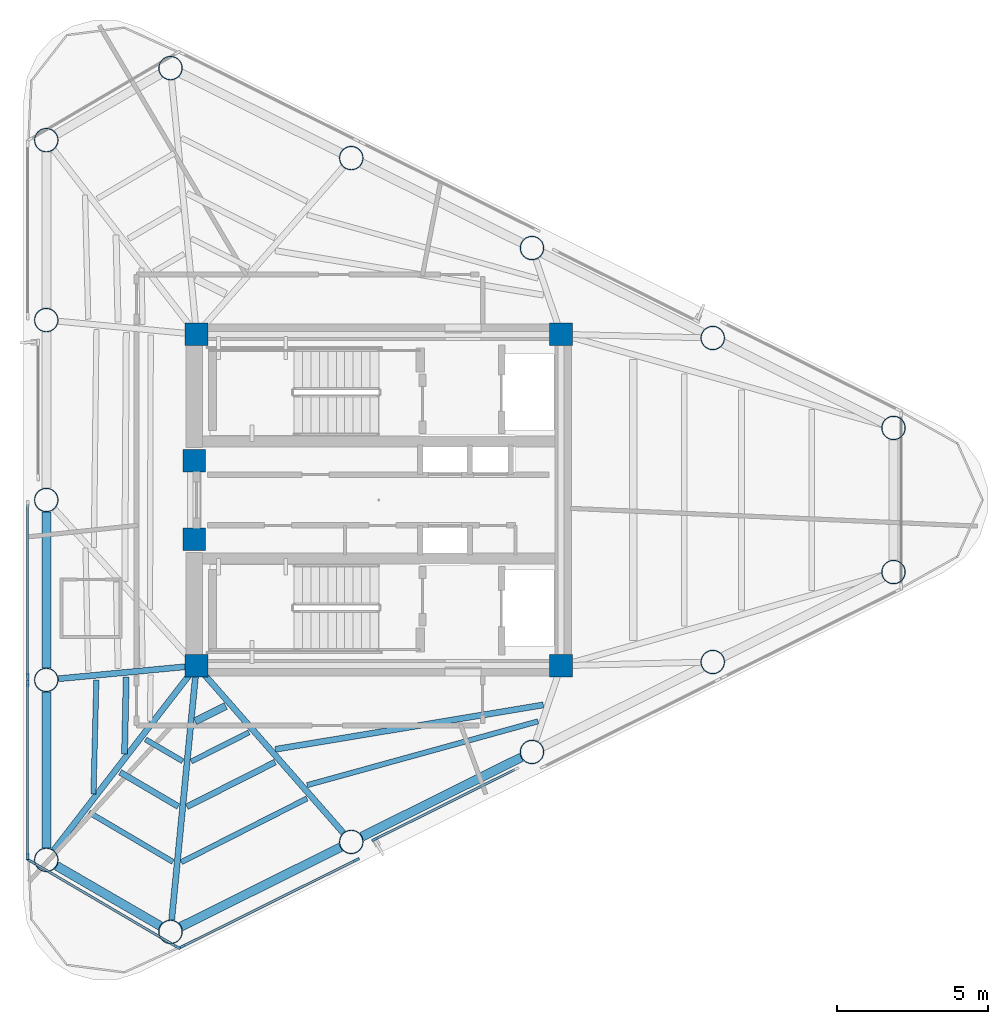
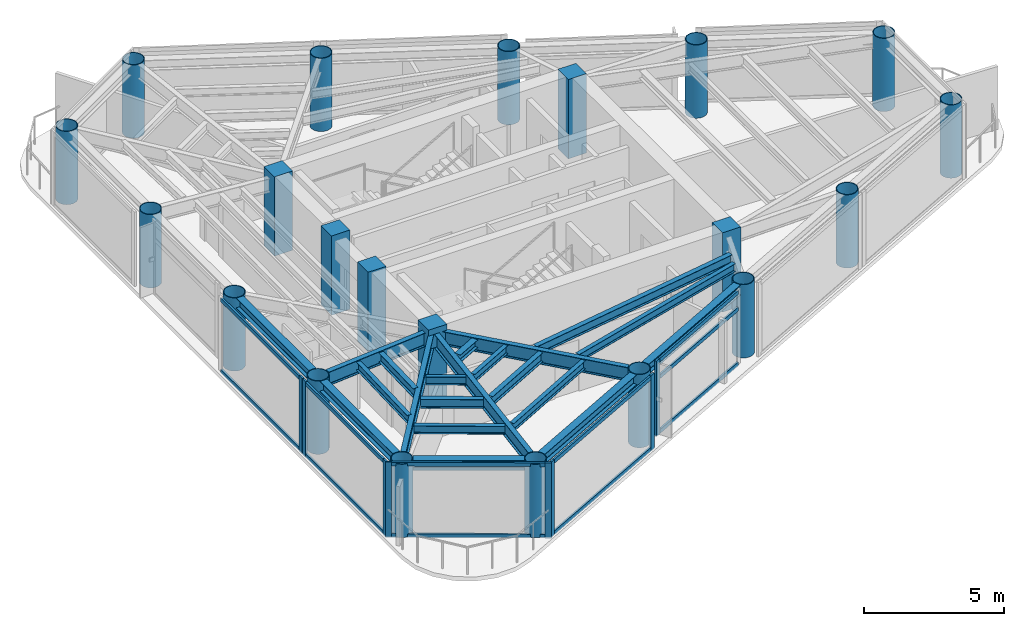
# One storey, part 1 of 10: 21 columns, 20 beams, 19 members, 5 elements without a shape of their own.
"""IFC4 building model written with IfcOpenShell, lengths in metres."""

from ifc_helpers import new_model, si_unit, direction, frame, origin, origin_2d, place, context, subcontext, project, spatial, rectangle, hollow_circle, i_section, extrude, source, transform, mapped, material, layer, layer_set, material_profile, profile_set, type_object, element, aggregate, save


model = new_model("IFC4")

# Units and contexts
model_context = context("Model", 3, precision=1e-05, world=origin(), true_north=direction((0.0, 1.0)))
body_context = subcontext(model_context, "Body", "Model", "MODEL_VIEW")
ifc_project = project(units=[si_unit("LENGTHUNIT", "METRE"), si_unit("AREAUNIT", "SQUARE_METRE"), si_unit("VOLUMEUNIT", "CUBIC_METRE"), si_unit("PLANEANGLEUNIT", "RADIAN"), si_unit("MASSUNIT", "GRAM", prefix="KILO")], contexts=[model_context])

# Site, building, storey
site_placement = place(None, origin())
site = spatial("IfcSite", under=ifc_project, at=site_placement, CompositionType="ELEMENT")
building_placement = place(site_placement, origin())
building = spatial("IfcBuilding", under=site, at=building_placement, Name="Yunling Apex Tower", CompositionType="ELEMENT")
storey_placement = place(building_placement, frame((0.0, 0.0, 314.0)))
storey = spatial("IfcBuildingStorey", under=building, at=storey_placement, Name="L77", CompositionType="ELEMENT", Elevation=314.0)

# Columns
ifc_material_1 = material(Name="Concrete C50", Category="concrete")
ifc_material_profile_1 = material_profile(ifc_material_1, rectangle(XDim=0.75, YDim=0.75, at=origin_2d()))
ifc_profile_set_1 = profile_set([ifc_material_profile_1], Name="Concrete C50")
column_type_1 = type_object("IfcColumnType", Name="PC-SRC-4", PredefinedType="COLUMN", material=ifc_profile_set_1)
shared_shape_1 = source(origin(), body_context, "Body", "SweptSolid", [
    extrude(rectangle(XDim=0.75, YDim=0.75, at=origin_2d()), origin(), (0.0, 0.0, 1.0), 3.449951171875),
])
for number, where, z_axis, x_axis, name in (
    (1, (-6.050048828125, -5.5, 0.0), (0.0, 0.0, 1.0), (1.0, 0.0, 0.0), "L77 Core Spine Column CC-SW"),
    (2, (6.050048828125, -5.5, 0.0), (0.0, 0.0, 1.0), (1.0, 0.0, 0.0), "L77 Core Spine Column CC-SE"),
    (3, (6.050048828125, 5.5, 0.0), (0.0, 0.0, 1.0), (1.0, 0.0, 0.0), "L77 Core Spine Column CC-NE"),
    (4, (-6.050048828125, 5.5, 0.0), (0.0, 0.0, 1.0), (1.0, 0.0, 0.0), "L77 Core Spine Column CC-NW"),
    (5, (-6.125, -1.300048828125, 0.0), (0.0, 0.0, 1.0), (1.0, 0.0, 0.0), "L77 Core West Portal Jamb Column S"),
    (6, (-6.125, 1.300048828125, 0.0), (0.0, 0.0, 1.0), (1.0, 0.0, 0.0), "L77 Core West Portal Jamb Column N"),
):
    element("IfcColumn", number, at=place(storey_placement, frame(where, z_axis=z_axis, x_axis=x_axis)), inside=storey, type_object=column_type_1, Name=name, PredefinedType="COLUMN", context=body_context, shape_type="MappedRepresentation", body=[
        mapped(shared_shape_1, transform((0.0, 0.0, 0.0), scale=1.0)),
    ])
ifc_material_2 = material(Name="Steel Q355B", Category="steel")
ifc_material_profile_2 = material_profile(ifc_material_2, hollow_circle(Radius=0.39990234375, WallThickness=0.028076171875, at=origin_2d()))
ifc_profile_set_2 = profile_set([ifc_material_profile_2], Name="Steel Q355B")
column_type_2 = type_object("IfcColumnType", Name="MC-CFST-7", PredefinedType="COLUMN", material=ifc_profile_set_2)
shared_shape_2 = source(origin(), body_context, "Body", "SweptSolid", [
    extrude(hollow_circle(Radius=0.39990234375, WallThickness=0.028076171875, at=origin_2d()), origin(), (0.0, 0.0, 1.0), 3.18994140625),
])
for number, where, z_axis, x_axis, name in (
    (7, (-6.9140625, -14.336669921875, 0.0), (0.0, 0.0, 1.0), (1.0, 0.0, 0.0), "L77 Perimeter CFST Mega-Column P01"),
    (8, (-0.913818359375, -11.350341796875, 0.0), (0.0, 0.0, 1.0), (1.0, 0.0, 0.0), "L77 Perimeter CFST Mega-Column P02"),
    (9, (5.086181640625, -8.364013671875, 0.0), (0.0, 0.0, 1.0), (1.0, 0.0, 0.0), "L77 Perimeter CFST Mega-Column P03"),
    (10, (11.08642578125, -5.377685546875, 0.0), (0.0, 0.0, 1.0), (1.0, 0.0, 0.0), "L77 Perimeter CFST Mega-Column P04"),
    (11, (17.086669921875, -2.3916015625, 0.0), (0.0, 0.0, 1.0), (1.0, 0.0, 0.0), "L77 Perimeter CFST Mega-Column P05"),
    (12, (17.086669921875, 2.3916015625, 0.0), (0.0, 0.0, 1.0), (1.0, 0.0, 0.0), "L77 Perimeter CFST Mega-Column P06"),
    (13, (11.08642578125, 5.377685546875, 0.0), (0.0, 0.0, 1.0), (1.0, 0.0, 0.0), "L77 Perimeter CFST Mega-Column P07"),
    (14, (5.086181640625, 8.364013671875, 0.0), (0.0, 0.0, 1.0), (1.0, 0.0, 0.0), "L77 Perimeter CFST Mega-Column P08"),
    (15, (-0.913818359375, 11.350341796875, 0.0), (0.0, 0.0, 1.0), (1.0, 0.0, 0.0), "L77 Perimeter CFST Mega-Column P09"),
    (16, (-6.9140625, 14.336669921875, 0.0), (0.0, 0.0, 1.0), (1.0, 0.0, 0.0), "L77 Perimeter CFST Mega-Column P10"),
    (17, (-11.037353515625, 11.9453125, 0.0), (0.0, 0.0, 1.0), (1.0, 0.0, 0.0), "L77 Perimeter CFST Mega-Column P11"),
    (18, (-11.037353515625, 5.97265625, 0.0), (0.0, 0.0, 1.0), (1.0, 0.0, 0.0), "L77 Perimeter CFST Mega-Column P12"),
    (19, (-11.037353515625, 0.0, 0.0), (0.0, 0.0, 1.0), (1.0, 0.0, 0.0), "L77 Perimeter CFST Mega-Column P13"),
    (20, (-11.037353515625, -5.97265625, 0.0), (0.0, 0.0, 1.0), (1.0, 0.0, 0.0), "L77 Perimeter CFST Mega-Column P14"),
    (21, (-11.037353515625, -11.9453125, 0.0), (0.0, 0.0, 1.0), (1.0, 0.0, 0.0), "L77 Perimeter CFST Mega-Column P15"),
):
    element("IfcColumn", number, at=place(storey_placement, frame(where, z_axis=z_axis, x_axis=x_axis)), inside=storey, type_object=column_type_2, Name=name, PredefinedType="COLUMN", context=body_context, shape_type="MappedRepresentation", body=[
        mapped(shared_shape_2, transform((0.0, 0.0, 0.0), scale=1.0)),
    ])

# Beams
ifc_material_profile_3 = material_profile(ifc_material_2, i_section(OverallWidth=0.300048828125, OverallDepth=0.43994140625, WebThickness=0.010986328125, FlangeThickness=0.01806640625, FilletRadius=0.02197265625, at=origin_2d()))
ifc_profile_set_3 = profile_set([ifc_material_profile_3], Name="Steel Q355B")
beam_type_1 = type_object("IfcBeamType", Name="BP-SPN-3", PredefinedType="SPANDREL", material=ifc_profile_set_3)
shared_shape_3 = source(origin(), body_context, "Body", "SweptSolid", [
    extrude(i_section(OverallWidth=0.300048828125, OverallDepth=0.43994140625, WebThickness=0.010986328125, FlangeThickness=0.01806640625, FilletRadius=0.02197265625, at=origin_2d()), origin(), (0.0, 0.0, 1.0), 5.914306640625),
])
for number, where, z_axis, x_axis, name in (
    (22, (-6.561279296875, -14.1611328125, 2.969970703125), (0.895243044542, 0.445578153861, 0.0), (-0.445578153861, 0.895243044542, 0.0), "L77 Perimeter Spandrel Beam 1"),
    (23, (-0.561279296875, -11.1748046875, 2.969970703125), (0.895267705164, 0.445528602999, 0.0), (-0.445528602999, 0.895267705164, 0.0), "L77 Perimeter Spandrel Beam 2"),
):
    element("IfcBeam", number, at=place(storey_placement, frame(where, z_axis=z_axis, x_axis=x_axis)), inside=storey, type_object=beam_type_1, Name=name, PredefinedType="SPANDREL", context=body_context, shape_type="MappedRepresentation", body=[
        mapped(shared_shape_3, transform((0.0, 0.0, 0.0), scale=1.0)),
    ])
shared_shape_4 = source(origin(), body_context, "Body", "SweptSolid", [
    extrude(i_section(OverallWidth=0.300048828125, OverallDepth=0.43994140625, WebThickness=0.010986328125, FlangeThickness=0.01806640625, FilletRadius=0.02197265625, at=origin_2d()), origin(), (0.0, 0.0, 1.0), 3.978515625),
])
beam_1_placement = place(storey_placement, frame((-10.696533203125, -12.142822265625, 2.969970703125), z_axis=(0.86503811344, -0.501706151343, 0.0), x_axis=(0.501706151343, 0.86503811344, 0.0)))
element("IfcBeam", 24, at=beam_1_placement, inside=storey, type_object=beam_type_1, Name="L77 Perimeter Spandrel Beam 15", PredefinedType="SPANDREL", context=body_context, shape_type="MappedRepresentation", body=[
    mapped(shared_shape_4, transform((0.0, 0.0, 0.0), scale=1.0)),
])
shared_shape_5 = source(origin(), body_context, "Body", "SweptSolid", [
    extrude(i_section(OverallWidth=0.300048828125, OverallDepth=0.43994140625, WebThickness=0.010986328125, FlangeThickness=0.01806640625, FilletRadius=0.02197265625, at=origin_2d()), origin(), (0.0, 0.0, 1.0), 5.1845703125),
])
for number, where, z_axis, x_axis, name in (
    (25, (-11.037353515625, -0.39404296875, 2.969970703125), (0.0, -1.0, 0.0), (1.0, 0.0, 0.0), "L77 Perimeter Spandrel Beam 13"),
    (26, (-11.037353515625, -6.36669921875, 2.969970703125), (0.0, -1.0, 0.0), (1.0, 0.0, 0.0), "L77 Perimeter Spandrel Beam 14"),
):
    element("IfcBeam", number, at=place(storey_placement, frame(where, z_axis=z_axis, x_axis=x_axis)), inside=storey, type_object=beam_type_1, Name=name, PredefinedType="SPANDREL", context=body_context, shape_type="MappedRepresentation", body=[
        mapped(shared_shape_5, transform((0.0, 0.0, 0.0), scale=1.0)),
    ])
ifc_material_profile_4 = material_profile(ifc_material_2, i_section(OverallWidth=0.199951171875, OverallDepth=0.60009765625, WebThickness=0.010986328125, FlangeThickness=0.01708984375, FilletRadius=0.02197265625, at=origin_2d()))
ifc_profile_set_4 = profile_set([ifc_material_profile_4], Name="Steel Q355B")
beam_type_2 = type_object("IfcBeamType", Name="BG-PRI-5", PredefinedType="USERDEFINED", material=ifc_profile_set_4)
shared_shape_6 = source(origin(), body_context, "Body", "SweptSolid", [
    extrude(i_section(OverallWidth=0.199951171875, OverallDepth=0.60009765625, WebThickness=0.010986328125, FlangeThickness=0.01708984375, FilletRadius=0.02197265625, at=origin_2d()), origin(), (0.0, 0.0, 1.0), 8.390869140625),
])
beam_2_placement = place(storey_placement, frame((-6.874267578125, -13.9306640625, 2.889892578125), z_axis=(0.097296792844, 0.995255411491, 0.0), x_axis=(-0.995255411491, 0.097296792844, 0.0)))
element("IfcBeam", 27, at=beam_2_placement, inside=storey, type_object=beam_type_2, Name="L77 Radial Primary Girder R01", ObjectType="GIRDER", PredefinedType="USERDEFINED", context=body_context, shape_type="MappedRepresentation", body=[
    mapped(shared_shape_6, transform((0.0, 0.0, 0.0), scale=1.0)),
])
shared_shape_7 = source(origin(), body_context, "Body", "SweptSolid", [
    extrude(i_section(OverallWidth=0.199951171875, OverallDepth=0.60009765625, WebThickness=0.010986328125, FlangeThickness=0.01708984375, FilletRadius=0.02197265625, at=origin_2d()), origin(), (0.0, 0.0, 1.0), 7.297119140625),
])
beam_3_placement = place(storey_placement, frame((-1.18310546875, -11.043701171875, 2.889892578125), z_axis=(-0.659747259747, 0.751487560281, 0.0), x_axis=(-0.751487560281, -0.659747259747, 0.0)))
element("IfcBeam", 28, at=beam_3_placement, inside=storey, type_object=beam_type_2, Name="L77 Radial Primary Girder R02", ObjectType="GIRDER", PredefinedType="USERDEFINED", context=body_context, shape_type="MappedRepresentation", body=[
    mapped(shared_shape_7, transform((0.0, 0.0, 0.0), scale=1.0)),
])
shared_shape_8 = source(origin(), body_context, "Body", "SweptSolid", [
    extrude(i_section(OverallWidth=0.199951171875, OverallDepth=0.60009765625, WebThickness=0.010986328125, FlangeThickness=0.01708984375, FilletRadius=0.02197265625, at=origin_2d()), origin(), (0.0, 0.0, 1.0), 7.661376953125),
])
beam_4_placement = place(storey_placement, frame((-10.78759765625, -11.62255859375, 2.889892578125), z_axis=(0.611959789037, 0.790888877531, 0.0), x_axis=(-0.790888877531, 0.611959789037, 0.0)))
element("IfcBeam", 29, at=beam_4_placement, inside=storey, type_object=beam_type_2, Name="L77 Radial Primary Girder R15", ObjectType="GIRDER", PredefinedType="USERDEFINED", context=body_context, shape_type="MappedRepresentation", body=[
    mapped(shared_shape_8, transform((0.0, 0.0, 0.0), scale=1.0)),
])
shared_shape_9 = source(origin(), body_context, "Body", "SweptSolid", [
    extrude(i_section(OverallWidth=0.199951171875, OverallDepth=0.60009765625, WebThickness=0.010986328125, FlangeThickness=0.01708984375, FilletRadius=0.02197265625, at=origin_2d()), origin(), (0.0, 0.0, 1.0), 4.521728515625),
])
beam_5_placement = place(storey_placement, frame((-10.631103515625, -5.93408203125, 2.889892578125), z_axis=(0.99554122067, 0.094327503661, 0.0), x_axis=(-0.094327503661, 0.99554122067, 0.0)))
element("IfcBeam", 30, at=beam_5_placement, inside=storey, type_object=beam_type_2, Name="L77 Radial Primary Girder R14", ObjectType="GIRDER", PredefinedType="USERDEFINED", context=body_context, shape_type="MappedRepresentation", body=[
    mapped(shared_shape_9, transform((0.0, 0.0, 0.0), scale=1.0)),
])
ifc_material_profile_5 = material_profile(ifc_material_2, i_section(OverallWidth=0.199951171875, OverallDepth=0.39990234375, WebThickness=0.008056640625, FlangeThickness=0.012939453125, FilletRadius=0.01611328125, at=origin_2d()))
ifc_profile_set_5 = profile_set([ifc_material_profile_5], Name="Steel Q355B")
beam_type_3 = type_object("IfcBeamType", Name="BS-SEC-4", PredefinedType="BEAM", material=ifc_profile_set_5)
shared_shape_10 = source(origin(), body_context, "Body", "SweptSolid", [
    extrude(i_section(OverallWidth=0.199951171875, OverallDepth=0.39990234375, WebThickness=0.008056640625, FlangeThickness=0.012939453125, FilletRadius=0.01611328125, at=origin_2d()), origin(), (0.0, 0.0, 1.0), 3.281494140625),
])
beam_6_placement = place(storey_placement, frame((-6.372314453125, -10.18408203125, 2.989990234375), z_axis=(0.892364297468, 0.451315810275, 0.0), x_axis=(-0.451315810275, 0.892364297468, 0.0)))
element("IfcBeam", 31, at=beam_6_placement, inside=storey, type_object=beam_type_3, Name="L77 Composite Floor Beam BS-1", PredefinedType="BEAM", context=body_context, shape_type="MappedRepresentation", body=[
    mapped(shared_shape_10, transform((0.0, 0.0, 0.0), scale=1.0)),
])
ifc_material_profile_6 = material_profile(ifc_material_2, i_section(OverallWidth=0.175048828125, OverallDepth=0.35009765625, WebThickness=0.007080078125, FlangeThickness=0.010986328125, FilletRadius=0.013916015625, at=origin_2d()))
ifc_profile_set_6 = profile_set([ifc_material_profile_6], Name="Steel Q355B")
beam_type_4 = type_object("IfcBeamType", Name="BJ-JST-1", PredefinedType="JOIST", material=ifc_profile_set_6)
shared_shape_11 = source(origin(), body_context, "Body", "SweptSolid", [
    extrude(i_section(OverallWidth=0.175048828125, OverallDepth=0.35009765625, WebThickness=0.007080078125, FlangeThickness=0.010986328125, FilletRadius=0.013916015625, at=origin_2d()), origin(), (0.0, 0.0, 1.0), 4.67138671875),
])
beam_7_placement = place(storey_placement, frame((-6.552001953125, -12.02099609375, 3.014892578125), z_axis=(0.892031280848, 0.45197366515, 0.0), x_axis=(-0.45197366515, 0.892031280848, 0.0)))
element("IfcBeam", 32, at=beam_7_placement, inside=storey, type_object=beam_type_4, Name="L77 Composite Floor Joist BJ1-1", PredefinedType="JOIST", context=body_context, shape_type="MappedRepresentation", body=[
    mapped(shared_shape_11, transform((0.0, 0.0, 0.0), scale=1.0)),
])
shared_shape_12 = source(origin(), body_context, "Body", "SweptSolid", [
    extrude(i_section(OverallWidth=0.175048828125, OverallDepth=0.35009765625, WebThickness=0.007080078125, FlangeThickness=0.010986328125, FilletRadius=0.013916015625, at=origin_2d()), origin(), (0.0, 0.0, 1.0), 2.143798828125),
])
beam_8_placement = place(storey_placement, frame((-6.22509765625, -8.680908203125, 3.014892578125), z_axis=(0.892941835578, 0.45017205408, 0.0), x_axis=(-0.45017205408, 0.892941835578, 0.0)))
element("IfcBeam", 33, at=beam_8_placement, inside=storey, type_object=beam_type_4, Name="L77 Composite Floor Joist BJ3-1", PredefinedType="JOIST", context=body_context, shape_type="MappedRepresentation", body=[
    mapped(shared_shape_12, transform((0.0, 0.0, 0.0), scale=1.0)),
])
ifc_material_profile_7 = material_profile(ifc_material_2, i_section(OverallWidth=0.25, OverallDepth=0.340087890625, WebThickness=0.009033203125, FlangeThickness=0.013916015625, FilletRadius=0.01806640625, at=origin_2d()))
ifc_profile_set_7 = profile_set([ifc_material_profile_7], Name="Steel Q355B")
beam_type_5 = type_object("IfcBeamType", Name="BJ-JST-2", PredefinedType="JOIST", material=ifc_profile_set_7)
shared_shape_13 = source(origin(), body_context, "Body", "SweptSolid", [
    extrude(i_section(OverallWidth=0.25, OverallDepth=0.340087890625, WebThickness=0.009033203125, FlangeThickness=0.013916015625, FilletRadius=0.01806640625, at=origin_2d()), origin(), (0.0, 0.0, 1.0), 1.1328125),
])
beam_9_placement = place(storey_placement, frame((-6.09423828125, -7.34521484375, 3.02001953125), z_axis=(0.894211562533, 0.447644592765, 0.0), x_axis=(-0.447644592765, 0.894211562533, 0.0)))
element("IfcBeam", 34, at=beam_9_placement, inside=storey, type_object=beam_type_5, Name="L77 Composite Floor Joist BJ2-1", PredefinedType="JOIST", context=body_context, shape_type="MappedRepresentation", body=[
    mapped(shared_shape_13, transform((0.0, 0.0, 0.0), scale=1.0)),
])
shared_shape_14 = source(origin(), body_context, "Body", "SweptSolid", [
    extrude(i_section(OverallWidth=0.199951171875, OverallDepth=0.39990234375, WebThickness=0.008056640625, FlangeThickness=0.012939453125, FilletRadius=0.01611328125, at=origin_2d()), origin(), (0.0, 0.0, 1.0), 9.01611328125),
])
beam_10_placement = place(storey_placement, frame((-3.432373046875, -8.27587890625, 2.989990234375), z_axis=(0.986561729833, 0.163388962996, 0.0), x_axis=(-0.163388962996, 0.986561729833, 0.0)))
element("IfcBeam", 35, at=beam_10_placement, inside=storey, type_object=beam_type_3, Name="L77 Composite Floor Beam BS-2", PredefinedType="BEAM", context=body_context, shape_type="MappedRepresentation", body=[
    mapped(shared_shape_14, transform((0.0, 0.0, 0.0), scale=1.0)),
])
shared_shape_15 = source(origin(), body_context, "Body", "SweptSolid", [
    extrude(i_section(OverallWidth=0.175048828125, OverallDepth=0.35009765625, WebThickness=0.007080078125, FlangeThickness=0.010986328125, FilletRadius=0.013916015625, at=origin_2d()), origin(), (0.0, 0.0, 1.0), 7.952392578125),
])
beam_11_placement = place(storey_placement, frame((-2.376708984375, -9.4658203125, 3.014892578125), z_axis=(0.963874198485, 0.266357897377, 0.0), x_axis=(-0.266357897377, 0.963874198485, 0.0)))
element("IfcBeam", 36, at=beam_11_placement, inside=storey, type_object=beam_type_4, Name="L77 Composite Floor Joist BJ1-2", PredefinedType="JOIST", context=body_context, shape_type="MappedRepresentation", body=[
    mapped(shared_shape_15, transform((0.0, 0.0, 0.0), scale=1.0)),
])
shared_shape_16 = source(origin(), body_context, "Body", "SweptSolid", [
    extrude(i_section(OverallWidth=0.199951171875, OverallDepth=0.39990234375, WebThickness=0.008056640625, FlangeThickness=0.012939453125, FilletRadius=0.01611328125, at=origin_2d()), origin(), (0.0, 0.0, 1.0), 2.552734375),
])
beam_12_placement = place(storey_placement, frame((-8.3837890625, -5.880859375, 2.989990234375), z_axis=(-0.021902331041, -0.999760115175, 0.0), x_axis=(0.999760115175, -0.021902331041, 0.0)))
element("IfcBeam", 37, at=beam_12_placement, inside=storey, type_object=beam_type_3, Name="L77 Composite Floor Beam BS-14", PredefinedType="BEAM", context=body_context, shape_type="MappedRepresentation", body=[
    mapped(shared_shape_16, transform((0.0, 0.0, 0.0), scale=1.0)),
])
shared_shape_17 = source(origin(), body_context, "Body", "SweptSolid", [
    extrude(i_section(OverallWidth=0.175048828125, OverallDepth=0.35009765625, WebThickness=0.007080078125, FlangeThickness=0.010986328125, FilletRadius=0.013916015625, at=origin_2d()), origin(), (0.0, 0.0, 1.0), 3.792724609375),
])
beam_13_placement = place(storey_placement, frame((-9.374755859375, -5.974609375, 3.014892578125), z_axis=(-0.02529776075, -0.999679960438, 0.0), x_axis=(0.999679960438, -0.02529776075, 0.0)))
element("IfcBeam", 38, at=beam_13_placement, inside=storey, type_object=beam_type_4, Name="L77 Composite Floor Joist BJ1-14", PredefinedType="JOIST", context=body_context, shape_type="MappedRepresentation", body=[
    mapped(shared_shape_17, transform((0.0, 0.0, 0.0), scale=1.0)),
])
shared_shape_18 = source(origin(), body_context, "Body", "SweptSolid", [
    extrude(i_section(OverallWidth=0.199951171875, OverallDepth=0.39990234375, WebThickness=0.008056640625, FlangeThickness=0.012939453125, FilletRadius=0.01611328125, at=origin_2d()), origin(), (0.0, 0.0, 1.0), 2.243408203125),
])
beam_14_placement = place(storey_placement, frame((-8.586669921875, -9.03759765625, 2.989990234375), z_axis=(0.861925822056, -0.507034394566, 0.0), x_axis=(0.507034394566, 0.861925822056, 0.0)))
element("IfcBeam", 39, at=beam_14_placement, inside=storey, type_object=beam_type_3, Name="L77 Composite Floor Beam BS-15", PredefinedType="BEAM", context=body_context, shape_type="MappedRepresentation", body=[
    mapped(shared_shape_18, transform((0.0, 0.0, 0.0), scale=1.0)),
])
shared_shape_19 = source(origin(), body_context, "Body", "SweptSolid", [
    extrude(i_section(OverallWidth=0.175048828125, OverallDepth=0.35009765625, WebThickness=0.007080078125, FlangeThickness=0.010986328125, FilletRadius=0.013916015625, at=origin_2d()), origin(), (0.0, 0.0, 1.0), 3.233642578125),
])
beam_15_placement = place(storey_placement, frame((-9.618408203125, -10.37060546875, 3.014892578125), z_axis=(0.861549665957, -0.507673293655, 0.0), x_axis=(0.507673293655, 0.861549665957, 0.0)))
element("IfcBeam", 40, at=beam_15_placement, inside=storey, type_object=beam_type_4, Name="L77 Composite Floor Joist BJ1-15", PredefinedType="JOIST", context=body_context, shape_type="MappedRepresentation", body=[
    mapped(shared_shape_19, transform((0.0, 0.0, 0.0), scale=1.0)),
])
shared_shape_20 = source(origin(), body_context, "Body", "SweptSolid", [
    extrude(i_section(OverallWidth=0.175048828125, OverallDepth=0.35009765625, WebThickness=0.007080078125, FlangeThickness=0.010986328125, FilletRadius=0.013916015625, at=origin_2d()), origin(), (0.0, 0.0, 1.0), 1.43359375),
])
beam_16_placement = place(storey_placement, frame((-7.74267578125, -7.94677734375, 3.014892578125), z_axis=(0.862559589494, -0.50595548675, 0.0), x_axis=(0.50595548675, 0.862559589494, 0.0)))
element("IfcBeam", 41, at=beam_16_placement, inside=storey, type_object=beam_type_4, Name="L77 Composite Floor Joist BJ3-15", PredefinedType="JOIST", context=body_context, shape_type="MappedRepresentation", body=[
    mapped(shared_shape_20, transform((0.0, 0.0, 0.0), scale=1.0)),
])

# Curtain wall, members
ifc_material_3 = material(Name="Bronze anodised aluminium", Category="aluminium")
ifc_layer = layer(ifc_material_3, 0.219970703125)
ifc_layer_set = layer_set([ifc_layer], Name="Bronze anodised aluminium")
curtain_wall_type = type_object("IfcCurtainWallType", Name="CW-SYS-4", PredefinedType="NOTDEFINED", material=ifc_layer_set)
curtain_wall_1_placement = place(storey_placement, origin())
curtain_wall_1 = element("IfcCurtainWall", 42, at=curtain_wall_1_placement, inside=storey, type_object=curtain_wall_type, Name="CW-L77-F1-B1", PredefinedType="NOTDEFINED")
ifc_material_profile_8 = material_profile(ifc_material_3, rectangle(XDim=0.080078125, YDim=0.169921875, at=origin_2d()))
ifc_profile_set_8 = profile_set([ifc_material_profile_8], Name="Bronze anodised aluminium")
member_type_1 = type_object("IfcMemberType", Name="CW-TRN-4", PredefinedType="USERDEFINED", material=ifc_profile_set_8)
shared_shape_21 = source(origin(), body_context, "Body", "SweptSolid", [
    extrude(rectangle(XDim=0.080078125, YDim=0.169921875, at=origin_2d()), origin(), (0.0, 0.0, 1.0), 6.39013671875),
])
member_1_placement = place(storey_placement, frame((-6.50244140625, -14.813232421875, 0.0400390625), z_axis=(0.89525092504, 0.445562320238, 0.0), x_axis=(-0.445562320238, 0.89525092504, 0.0)))
member_1 = element("IfcMember", 43, at=member_1_placement, type_object=member_type_1, Name="CW-SYS-4 transom 1.1", ObjectType="TRANSOM", PredefinedType="USERDEFINED", context=body_context, shape_type="MappedRepresentation", body=[
    mapped(shared_shape_21, transform((0.0, 0.0, 0.0), scale=1.0)),
])
member_2_placement = place(storey_placement, frame((-6.50244140625, -14.813232421875, 3.14990234375), z_axis=(0.89525092504, 0.445562320238, 0.0), x_axis=(-0.445562320238, 0.89525092504, 0.0)))
member_2 = element("IfcMember", 44, at=member_2_placement, type_object=member_type_1, Name="CW-SYS-4 transom 1.2", ObjectType="TRANSOM", PredefinedType="USERDEFINED", context=body_context, shape_type="MappedRepresentation", body=[
    mapped(shared_shape_21, transform((0.0, 0.0, 0.0), scale=1.0)),
])

curtain_wall_2_placement = place(storey_placement, origin())
curtain_wall_2 = element("IfcCurtainWall", 45, at=curtain_wall_2_placement, inside=storey, type_object=curtain_wall_type, Name="CW-L77-F1-B2", PredefinedType="NOTDEFINED")
shared_shape_22 = source(origin(), body_context, "Body", "SweptSolid", [
    extrude(rectangle(XDim=0.080078125, YDim=0.169921875, at=origin_2d()), origin(), (0.0, 0.0, 1.0), 5.150390625),
])
member_3_placement = place(storey_placement, frame((-0.098876953125, -11.246337890625, 0.0400390625), z_axis=(0.895259933779, 0.445544218871, 0.0), x_axis=(-0.445544218871, 0.895259933779, 0.0)))
member_3 = element("IfcMember", 46, at=member_3_placement, type_object=member_type_1, Name="CW-SYS-4 transom 1.1", ObjectType="TRANSOM", PredefinedType="USERDEFINED", context=body_context, shape_type="MappedRepresentation", body=[
    mapped(shared_shape_22, transform((0.0, 0.0, 0.0), scale=1.0)),
])
member_4_placement = place(storey_placement, frame((-0.098876953125, -11.246337890625, 2.42431640625), z_axis=(0.895259933779, 0.445544218871, 0.0), x_axis=(-0.445544218871, 0.895259933779, 0.0)))
member_4 = element("IfcMember", 47, at=member_4_placement, type_object=member_type_1, Name="CW-SYS-4 transom 1.2", ObjectType="TRANSOM", PredefinedType="USERDEFINED", context=body_context, shape_type="MappedRepresentation", body=[
    mapped(shared_shape_22, transform((0.0, 0.0, 0.0), scale=1.0)),
])
member_5_placement = place(storey_placement, frame((-0.098876953125, -11.246337890625, 3.14990234375), z_axis=(0.895259933779, 0.445544218871, 0.0), x_axis=(-0.445544218871, 0.895259933779, 0.0)))
member_5 = element("IfcMember", 48, at=member_5_placement, type_object=member_type_1, Name="CW-SYS-4 transom 1.3", ObjectType="TRANSOM", PredefinedType="USERDEFINED", context=body_context, shape_type="MappedRepresentation", body=[
    mapped(shared_shape_22, transform((0.0, 0.0, 0.0), scale=1.0)),
])

curtain_wall_3_placement = place(storey_placement, origin())
curtain_wall_3 = element("IfcCurtainWall", 49, at=curtain_wall_3_placement, inside=storey, type_object=curtain_wall_type, Name="CW-L77-CRN3", PredefinedType="NOTDEFINED")
shared_shape_23 = source(origin(), body_context, "Body", "SweptSolid", [
    extrude(rectangle(XDim=0.080078125, YDim=0.169921875, at=origin_2d()), origin(), (0.0, 0.0, 1.0), 5.61767578125),
])
member_6_placement = place(storey_placement, frame((-11.561767578125, -11.983642578125, 0.0400390625), z_axis=(0.862486715055, -0.506079703558, 0.0), x_axis=(0.506079703558, 0.862486715055, 0.0)))
member_6 = element("IfcMember", 50, at=member_6_placement, type_object=member_type_1, Name="CW-SYS-4 transom 1.1", ObjectType="TRANSOM", PredefinedType="USERDEFINED", context=body_context, shape_type="MappedRepresentation", body=[
    mapped(shared_shape_23, transform((0.0, 0.0, 0.0), scale=1.0)),
])
member_7_placement = place(storey_placement, frame((-11.561767578125, -11.983642578125, 3.14990234375), z_axis=(0.862486715055, -0.506079703558, 0.0), x_axis=(0.506079703558, 0.862486715055, 0.0)))
member_7 = element("IfcMember", 51, at=member_7_placement, type_object=member_type_1, Name="CW-SYS-4 transom 1.2", ObjectType="TRANSOM", PredefinedType="USERDEFINED", context=body_context, shape_type="MappedRepresentation", body=[
    mapped(shared_shape_23, transform((0.0, 0.0, 0.0), scale=1.0)),
])

curtain_wall_4_placement = place(storey_placement, origin())
curtain_wall_4 = element("IfcCurtainWall", 52, at=curtain_wall_4_placement, inside=storey, type_object=curtain_wall_type, Name="CW-L77-F3-B3", PredefinedType="NOTDEFINED")
shared_shape_24 = source(origin(), body_context, "Body", "SweptSolid", [
    extrude(rectangle(XDim=0.080078125, YDim=0.169921875, at=origin_2d()), origin(), (0.0, 0.0, 1.0), 5.66064453125),
])
member_8_placement = place(storey_placement, frame((-11.647216796875, -0.156005859375, 0.0400390625), z_axis=(0.0, -1.0, 0.0), x_axis=(1.0, 0.0, 0.0)))
member_8 = element("IfcMember", 53, at=member_8_placement, type_object=member_type_1, Name="CW-SYS-4 transom 1.1", ObjectType="TRANSOM", PredefinedType="USERDEFINED", context=body_context, shape_type="MappedRepresentation", body=[
    mapped(shared_shape_24, transform((0.0, 0.0, 0.0), scale=1.0)),
])
member_9_placement = place(storey_placement, frame((-11.647216796875, -0.156005859375, 3.14990234375), z_axis=(0.0, -1.0, 0.0), x_axis=(1.0, 0.0, 0.0)))
member_9 = element("IfcMember", 54, at=member_9_placement, type_object=member_type_1, Name="CW-SYS-4 transom 1.2", ObjectType="TRANSOM", PredefinedType="USERDEFINED", context=body_context, shape_type="MappedRepresentation", body=[
    mapped(shared_shape_24, transform((0.0, 0.0, 0.0), scale=1.0)),
])

curtain_wall_5_placement = place(storey_placement, origin())
curtain_wall_5 = element("IfcCurtainWall", 55, at=curtain_wall_5_placement, inside=storey, type_object=curtain_wall_type, Name="CW-L77-F3-B4", PredefinedType="NOTDEFINED")
member_10_placement = place(storey_placement, frame((-11.647216796875, -6.128662109375, 0.0400390625), z_axis=(0.0, -1.0, 0.0), x_axis=(1.0, 0.0, 0.0)))
member_10 = element("IfcMember", 56, at=member_10_placement, type_object=member_type_1, Name="CW-SYS-4 transom 1.1", ObjectType="TRANSOM", PredefinedType="USERDEFINED", context=body_context, shape_type="MappedRepresentation", body=[
    mapped(shared_shape_24, transform((0.0, 0.0, 0.0), scale=1.0)),
])
member_11_placement = place(storey_placement, frame((-11.647216796875, -6.128662109375, 3.14990234375), z_axis=(0.0, -1.0, 0.0), x_axis=(1.0, 0.0, 0.0)))
member_11 = element("IfcMember", 57, at=member_11_placement, type_object=member_type_1, Name="CW-SYS-4 transom 1.2", ObjectType="TRANSOM", PredefinedType="USERDEFINED", context=body_context, shape_type="MappedRepresentation", body=[
    mapped(shared_shape_24, transform((0.0, 0.0, 0.0), scale=1.0)),
])

# Member
ifc_material_profile_9 = material_profile(ifc_material_3, rectangle(XDim=0.080078125, YDim=0.219970703125, at=origin_2d()))
ifc_profile_set_9 = profile_set([ifc_material_profile_9], Name="Bronze anodised aluminium")
member_type_2 = type_object("IfcMemberType", Name="CW-MUL-4", PredefinedType="MULLION", material=ifc_profile_set_9)
shared_shape_25 = source(origin(), body_context, "Body", "SweptSolid", [
    extrude(rectangle(XDim=0.080078125, YDim=0.219970703125, at=origin_2d()), origin(), (0.0, 0.0, 1.0), 3.2900390625),
])
member_12_placement = place(storey_placement, frame((-6.534912109375, -14.829345703125, -0.050048828125), z_axis=(0.0, 0.0, 1.0), x_axis=(-0.445568135078, 0.895248030996, 0.0)))
member_12 = element("IfcMember", 58, at=member_12_placement, type_object=member_type_2, Name="CW-SYS-4 mullion 1", PredefinedType="MULLION", context=body_context, shape_type="MappedRepresentation", body=[
    mapped(shared_shape_25, transform((0.0, 0.0, 0.0), scale=1.0)),
])

member_13_placement = place(storey_placement, frame((-0.74951171875, -11.949951171875, -0.050048828125), z_axis=(0.0, 0.0, 1.0), x_axis=(-0.445568135078, 0.895248030996, 0.0)))
member_13 = element("IfcMember", 59, at=member_13_placement, type_object=member_type_2, Name="CW-SYS-4 mullion 2", PredefinedType="MULLION", context=body_context, shape_type="MappedRepresentation", body=[
    mapped(shared_shape_25, transform((0.0, 0.0, 0.0), scale=1.0)),
])

aggregate(curtain_wall_1, [member_12, member_13, member_1, member_2])

member_14_placement = place(storey_placement, frame((-0.131103515625, -11.262451171875, -0.050048828125), z_axis=(0.0, 0.0, 1.0), x_axis=(-0.445560721723, 0.895251720611, 0.0)))
member_14 = element("IfcMember", 60, at=member_14_placement, type_object=member_type_2, Name="CW-SYS-4 mullion 1", PredefinedType="MULLION", context=body_context, shape_type="MappedRepresentation", body=[
    mapped(shared_shape_25, transform((0.0, 0.0, 0.0), scale=1.0)),
])

aggregate(curtain_wall_2, [member_14, member_3, member_4, member_5])

member_15_placement = place(storey_placement, frame((-11.647216796875, -5.8525390625, -0.050048828125), z_axis=(0.0, 0.0, 1.0), x_axis=(1.0, 0.0, 0.0)))
member_15 = element("IfcMember", 61, at=member_15_placement, type_object=member_type_2, Name="CW-SYS-4 mullion 2", PredefinedType="MULLION", context=body_context, shape_type="MappedRepresentation", body=[
    mapped(shared_shape_25, transform((0.0, 0.0, 0.0), scale=1.0)),
])

aggregate(curtain_wall_4, [member_15, member_8, member_9])

member_16_placement = place(storey_placement, frame((-11.647216796875, -6.092529296875, -0.050048828125), z_axis=(0.0, 0.0, 1.0), x_axis=(1.0, 0.0, 0.0)))
member_16 = element("IfcMember", 62, at=member_16_placement, type_object=member_type_2, Name="CW-SYS-4 mullion 1", PredefinedType="MULLION", context=body_context, shape_type="MappedRepresentation", body=[
    mapped(shared_shape_25, transform((0.0, 0.0, 0.0), scale=1.0)),
])

member_17_placement = place(storey_placement, frame((-11.647216796875, -11.8251953125, -0.050048828125), z_axis=(0.0, 0.0, 1.0), x_axis=(1.0, 0.0, 0.0)))
member_17 = element("IfcMember", 63, at=member_17_placement, type_object=member_type_2, Name="CW-SYS-4 mullion 2", PredefinedType="MULLION", context=body_context, shape_type="MappedRepresentation", body=[
    mapped(shared_shape_25, transform((0.0, 0.0, 0.0), scale=1.0)),
])

aggregate(curtain_wall_5, [member_16, member_17, member_10, member_11])

member_18_placement = place(storey_placement, frame((-11.5927734375, -11.96533203125, -0.050048828125), z_axis=(0.0, 0.0, 1.0), x_axis=(0.506069970256, 0.862492426173, 0.0)))
member_18 = element("IfcMember", 64, at=member_18_placement, type_object=member_type_2, Name="CW-SYS-4 mullion 1", PredefinedType="MULLION", context=body_context, shape_type="MappedRepresentation", body=[
    mapped(shared_shape_25, transform((0.0, 0.0, 0.0), scale=1.0)),
])

member_19_placement = place(storey_placement, frame((-6.685546875, -14.8447265625, -0.050048828125), z_axis=(0.0, 0.0, 1.0), x_axis=(0.506069970256, 0.862492426173, 0.0)))
member_19 = element("IfcMember", 65, at=member_19_placement, type_object=member_type_2, Name="CW-SYS-4 mullion 2", PredefinedType="MULLION", context=body_context, shape_type="MappedRepresentation", body=[
    mapped(shared_shape_25, transform((0.0, 0.0, 0.0), scale=1.0)),
])

aggregate(curtain_wall_3, [member_18, member_19, member_6, member_7])

save(model, "model.ifc")
